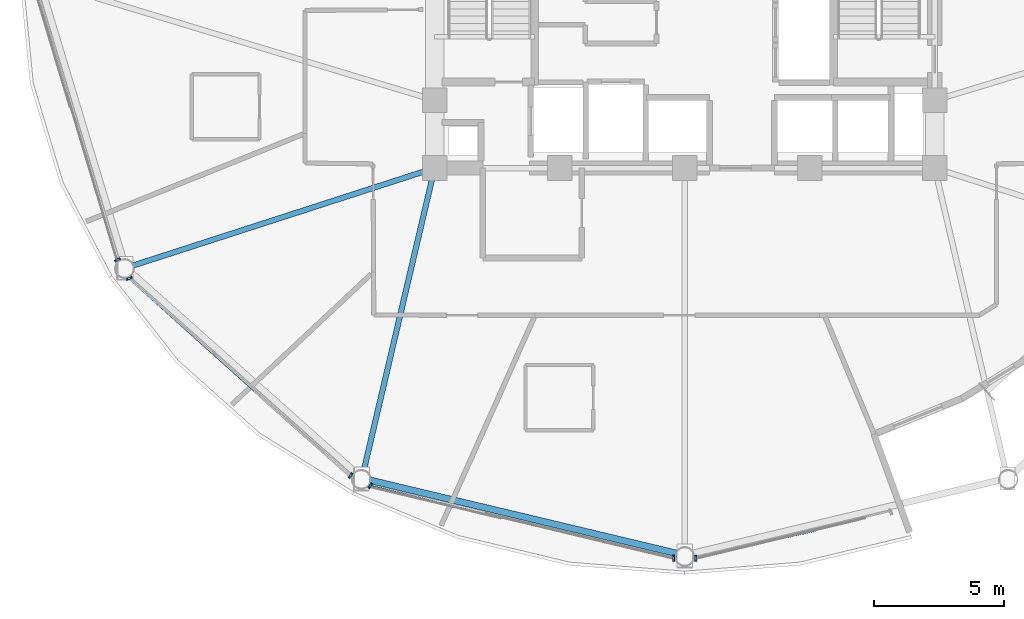
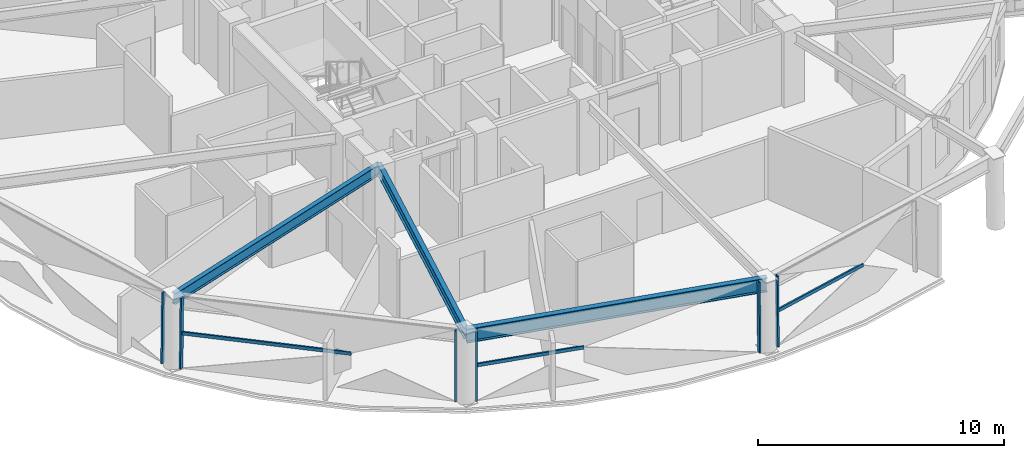
# One storey, part 2 of 16: 9 members, 3 beams, 4 elements without a shape of their own.
"""IFC4 building model written with IfcOpenShell, lengths in metres."""

from ifc_helpers import new_model, si_unit, direction, frame, origin, origin_2d, place, context, subcontext, project, spatial, hollow_rectangle, i_section, extrude, material, layer, layer_set, material_profile, profile_set, type_object, element, aggregate, save


model = new_model("IFC4")

# Units and contexts
model_context = context("Model", 3, precision=1e-05, world=origin(), true_north=direction((0.0, 1.0)))
body_context = subcontext(model_context, "Body", "Model", "MODEL_VIEW")
ifc_project = project(units=[si_unit("LENGTHUNIT", "METRE"), si_unit("AREAUNIT", "SQUARE_METRE"), si_unit("VOLUMEUNIT", "CUBIC_METRE"), si_unit("PLANEANGLEUNIT", "RADIAN"), si_unit("MASSUNIT", "GRAM", prefix="KILO")], contexts=[model_context])

# Site, building, storey
site_placement = place(None, origin())
site = spatial("IfcSite", under=ifc_project, at=site_placement, CompositionType="ELEMENT")
building_placement = place(site_placement, origin())
building = spatial("IfcBuilding", under=site, at=building_placement, Name="Vantalir Tower", CompositionType="ELEMENT")
storey_placement = place(building_placement, frame((0.0, 0.0, 145.949951171875)))
storey = spatial("IfcBuildingStorey", under=building, at=storey_placement, Name="L36", CompositionType="ELEMENT", Elevation=145.949951171875)

# Beams
ifc_material_1 = material(Name="Steel S355", Category="steel")
ifc_material_profile_1 = material_profile(ifc_material_1, i_section(OverallWidth=0.2109375, OverallDepth=0.5390625, WebThickness=0.01171875, FlangeThickness=0.018798828125, at=origin_2d()), Name="Steel S355")
ifc_profile_set_1 = profile_set([ifc_material_profile_1], Name="Steel S355")
beam_type_1 = type_object("IfcBeamType", Name="BM-RB-533x210", PredefinedType="BEAM", material=ifc_profile_set_1)
beam_1_placement = place(storey_placement, frame((10.037109375, 13.965087890625, 3.301025390625), z_axis=(0.95151500296, 0.307602339298, 0.0), x_axis=(-0.307602339298, 0.95151500296, 0.0)))
element("IfcBeam", 1, at=beam_1_placement, inside=storey, type_object=beam_type_1, Name="L36 Radial Floor Beam 08", PredefinedType="BEAM", context=body_context, shape_type="SweptSolid", body=[
    extrude(i_section(OverallWidth=0.2109375, OverallDepth=0.5390625, WebThickness=0.01171875, FlangeThickness=0.018798828125, at=origin_2d()), origin(), (0.0, 0.0, 1.0), 12.46728515625),
])
beam_2_placement = place(storey_placement, frame((19.10791015625, 5.887939453125, 3.301025390625), z_axis=(0.228198416036, 0.973614648061, 0.0), x_axis=(-0.973614648061, 0.228198416036, 0.0)))
element("IfcBeam", 2, at=beam_2_placement, inside=storey, type_object=beam_type_1, Name="L36 Radial Floor Beam 09", PredefinedType="BEAM", context=body_context, shape_type="SweptSolid", body=[
    extrude(i_section(OverallWidth=0.2109375, OverallDepth=0.5390625, WebThickness=0.01171875, FlangeThickness=0.018798828125, at=origin_2d()), origin(), (0.0, 0.0, 1.0), 12.23486328125),
])
ifc_material_2 = material(Name="Steel S460", Category="steel")
ifc_material_profile_2 = material_profile(ifc_material_2, i_section(OverallWidth=0.256103515625, OverallDepth=0.693115234375, WebThickness=0.014404296875, FlangeThickness=0.023681640625, at=origin_2d()), Name="Steel S460")
ifc_profile_set_2 = profile_set([ifc_material_profile_2], Name="Steel S460")
beam_type_2 = type_object("IfcBeamType", Name="BM-RG-686x254", PredefinedType="USERDEFINED", material=ifc_profile_set_2)
beam_3_placement = place(storey_placement, frame((19.10791015625, 5.887939453125, 3.22412109375), z_axis=(0.972690538126, -0.232105831549, 0.0), x_axis=(0.232105831549, 0.972690538126, 0.0)))
element("IfcBeam", 3, at=beam_3_placement, inside=storey, type_object=beam_type_2, Name="L36 Circumferential Ring Girder 09", ObjectType="GIRDER", PredefinedType="USERDEFINED", context=body_context, shape_type="SweptSolid", body=[
    extrude(i_section(OverallWidth=0.256103515625, OverallDepth=0.693115234375, WebThickness=0.014404296875, FlangeThickness=0.023681640625, at=origin_2d()), origin(), (0.0, 0.0, 1.0), 12.739990234375),
])

# Curtain wall, member
ifc_material_3 = material(Name="Champagne-silver PVDF aluminium and double-silver Low-E glass", Category="aluminium")
ifc_layer = layer(ifc_material_3, 0.199951171875)
ifc_layer_set = layer_set([ifc_layer], Name="Champagne-silver PVDF aluminium and double-silver Low-E glass")
curtain_wall_type = type_object("IfcCurtainWallType", Name="CW-DIAMOND-Z2", PredefinedType="USERDEFINED", material=ifc_layer_set)
curtain_wall_1_placement = place(storey_placement, origin())
curtain_wall_1 = element("IfcCurtainWall", 4, at=curtain_wall_1_placement, inside=storey, type_object=curtain_wall_type, Name="L36 Quilted Pyramid-Diamond Curtain Wall S07", ObjectType="UNITISED CURTAIN WALL", PredefinedType="USERDEFINED")
ifc_material_4 = material(Name="Champagne-silver PVDF aluminium 6063-T6", Category="aluminium")
ifc_material_profile_3 = material_profile(ifc_material_4, hollow_rectangle(XDim=0.074951171875, YDim=0.179931640625, WallThickness=0.00390625, at=origin_2d()), Name="Champagne-silver PVDF aluminium 6063-T6")
ifc_profile_set_3 = profile_set([ifc_material_profile_3], Name="Champagne-silver PVDF aluminium 6063-T6")
member_type_1 = type_object("IfcMemberType", Name="CWM-180x75", PredefinedType="MULLION", material=ifc_profile_set_3)
member_1_placement = place(storey_placement, frame((9.69189453125, 14.263916015625, 0.045166015625), z_axis=(0.015572214917, 0.007786107458, 0.99984842984), x_axis=(-0.4472135955, 0.894427191, 0.0)))
member_1 = element("IfcMember", 5, at=member_1_placement, type_object=member_type_1, Name="CW-L36-S07 Mullion 2", PredefinedType="MULLION", context=body_context, shape_type="SweptSolid", body=[
    extrude(hollow_rectangle(XDim=0.074951171875, YDim=0.179931640625, WallThickness=0.00390625, at=origin_2d()), origin(), (0.0, 0.0, 1.0), 3.48046875),
])
aggregate(curtain_wall_1, [member_1])

# Curtain wall, members
curtain_wall_2_placement = place(storey_placement, origin())
curtain_wall_2 = element("IfcCurtainWall", 6, at=curtain_wall_2_placement, inside=storey, type_object=curtain_wall_type, Name="L36 Quilted Pyramid-Diamond Curtain Wall S08", ObjectType="UNITISED CURTAIN WALL", PredefinedType="USERDEFINED")
member_2_placement = place(storey_placement, frame((10.14697265625, 13.550048828125, 0.045166015625), z_axis=(0.015502095128, 0.007715974951, 0.999850063148), x_axis=(-0.445592525197, 0.895235891533, 0.0)))
member_2 = element("IfcMember", 7, at=member_2_placement, type_object=member_type_1, Name="CW-L36-S08 Mullion 1", PredefinedType="MULLION", context=body_context, shape_type="SweptSolid", body=[
    extrude(hollow_rectangle(XDim=0.074951171875, YDim=0.179931640625, WallThickness=0.00390625, at=origin_2d()), origin(), (0.0, 0.0, 1.0), 3.48046875),
])
member_3_placement = place(storey_placement, frame((18.654052734375, 5.968994140625, 0.045166015625), z_axis=(0.008908609565, 0.013538280677, 0.999868667192), x_axis=(-0.835364778861, 0.54969599438, 0.0)))
member_3 = element("IfcMember", 8, at=member_3_placement, type_object=member_type_1, Name="CW-L36-S08 Mullion 2", PredefinedType="MULLION", context=body_context, shape_type="SweptSolid", body=[
    extrude(hollow_rectangle(XDim=0.074951171875, YDim=0.179931640625, WallThickness=0.00390625, at=origin_2d()), origin(), (0.0, 0.0, 1.0), 3.48046875),
])

curtain_wall_3_placement = place(storey_placement, origin())
curtain_wall_3 = element("IfcCurtainWall", 9, at=curtain_wall_3_placement, inside=storey, type_object=curtain_wall_type, Name="L36 Quilted Pyramid-Diamond Curtain Wall S09", ObjectType="UNITISED CURTAIN WALL", PredefinedType="USERDEFINED")
member_4_placement = place(storey_placement, frame((19.409912109375, 5.573974609375, 0.045166015625), z_axis=(0.008908609565, 0.013538280677, 0.999868667192), x_axis=(-0.835364778861, 0.54969599438, 0.0)))
member_4 = element("IfcMember", 10, at=member_4_placement, type_object=member_type_1, Name="CW-L36-S09 Mullion 1", PredefinedType="MULLION", context=body_context, shape_type="SweptSolid", body=[
    extrude(hollow_rectangle(XDim=0.074951171875, YDim=0.179931640625, WallThickness=0.00390625, at=origin_2d()), origin(), (0.0, 0.0, 1.0), 3.48046875),
])
member_5_placement = place(storey_placement, frame((31.072021484375, 2.7880859375, 0.045166015625), z_axis=(0.0, 0.015783076602, 0.999875439489), x_axis=(-1.0, 0.0, 0.0)))
member_5 = element("IfcMember", 11, at=member_5_placement, type_object=member_type_1, Name="CW-L36-S09 Mullion 2", PredefinedType="MULLION", context=body_context, shape_type="SweptSolid", body=[
    extrude(hollow_rectangle(XDim=0.074951171875, YDim=0.179931640625, WallThickness=0.00390625, at=origin_2d()), origin(), (0.0, 0.0, 1.0), 3.48046875),
])

# Curtain wall, member
curtain_wall_4_placement = place(storey_placement, origin())
curtain_wall_4 = element("IfcCurtainWall", 12, at=curtain_wall_4_placement, inside=storey, type_object=curtain_wall_type, Name="L36 Quilted Pyramid-Diamond Curtain Wall S10", ObjectType="UNITISED CURTAIN WALL", PredefinedType="USERDEFINED")
member_6_placement = place(storey_placement, frame((31.927978515625, 2.7880859375, 0.045166015625), z_axis=(0.0, 0.015783076602, 0.999875439489), x_axis=(-1.0, 0.0, 0.0)))
member_6 = element("IfcMember", 13, at=member_6_placement, type_object=member_type_1, Name="CW-L36-S10 Mullion 1", PredefinedType="MULLION", context=body_context, shape_type="SweptSolid", body=[
    extrude(hollow_rectangle(XDim=0.074951171875, YDim=0.179931640625, WallThickness=0.00390625, at=origin_2d()), origin(), (0.0, 0.0, 1.0), 3.48046875),
])

# Member
ifc_material_profile_4 = material_profile(ifc_material_4, hollow_rectangle(XDim=0.074951171875, YDim=0.159912109375, WallThickness=0.00390625, at=origin_2d()), Name="Champagne-silver PVDF aluminium 6063-T6")
ifc_profile_set_4 = profile_set([ifc_material_profile_4], Name="Champagne-silver PVDF aluminium 6063-T6")
member_type_2 = type_object("IfcMemberType", Name="CWT-160x75", PredefinedType="USERDEFINED", material=ifc_profile_set_4)
member_7_placement = place(storey_placement, frame((10.174072265625, 13.56396484375, 1.78515625), z_axis=(0.744215816495, -0.667939232624, 0.0), x_axis=(0.667939232624, 0.744215816495, 0.0)))
member_7 = element("IfcMember", 14, at=member_7_placement, type_object=member_type_2, Name="CW-L36-S08 Pyramid Fold Ridge Transom", ObjectType="TRANSOM", PredefinedType="USERDEFINED", context=body_context, shape_type="SweptSolid", body=[
    extrude(hollow_rectangle(XDim=0.074951171875, YDim=0.159912109375, WallThickness=0.00390625, at=origin_2d()), origin(), (0.0, 0.0, 1.0), 7.054443359375),
])

aggregate(curtain_wall_2, [member_2, member_3, member_7])

member_8_placement = place(storey_placement, frame((19.425048828125, 5.596923828125, 1.78515625), z_axis=(0.971454289527, -0.237226818381, 0.0), x_axis=(0.237226818381, 0.971454289527, 0.0)))
member_8 = element("IfcMember", 15, at=member_8_placement, type_object=member_type_2, Name="CW-L36-S09 Pyramid Fold Ridge Transom", ObjectType="TRANSOM", PredefinedType="USERDEFINED", context=body_context, shape_type="SweptSolid", body=[
    extrude(hollow_rectangle(XDim=0.074951171875, YDim=0.159912109375, WallThickness=0.00390625, at=origin_2d()), origin(), (0.0, 0.0, 1.0), 4.5478515625),
])

aggregate(curtain_wall_3, [member_4, member_5, member_8])

member_9_placement = place(storey_placement, frame((31.927978515625, 2.81591796875, 1.78515625), z_axis=(0.973813252853, 0.227349397553, 0.0), x_axis=(-0.227349397553, 0.973813252853, 0.0)))
member_9 = element("IfcMember", 16, at=member_9_placement, type_object=member_type_2, Name="CW-L36-S10 Pyramid Fold Ridge Transom", ObjectType="TRANSOM", PredefinedType="USERDEFINED", context=body_context, shape_type="SweptSolid", body=[
    extrude(hollow_rectangle(XDim=0.074951171875, YDim=0.159912109375, WallThickness=0.00390625, at=origin_2d()), origin(), (0.0, 0.0, 1.0), 4.767822265625),
])

aggregate(curtain_wall_4, [member_6, member_9])

save(model, "model.ifc")
